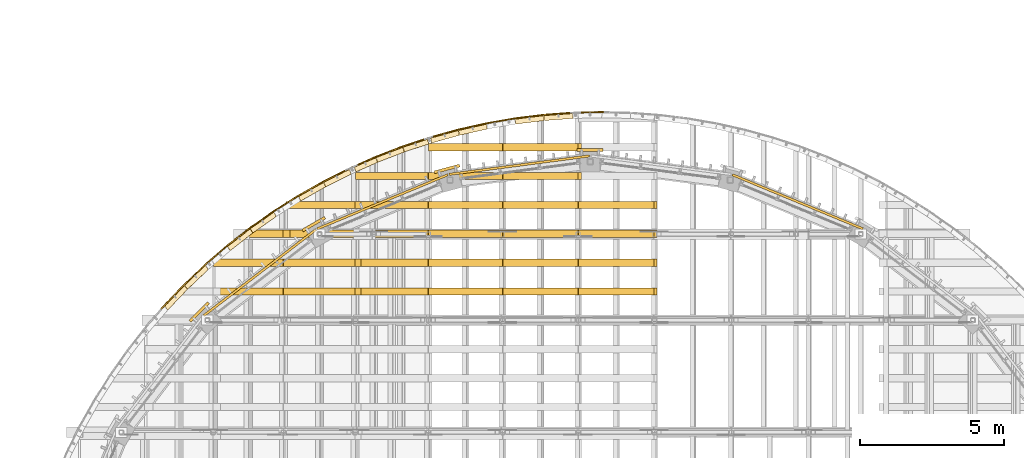
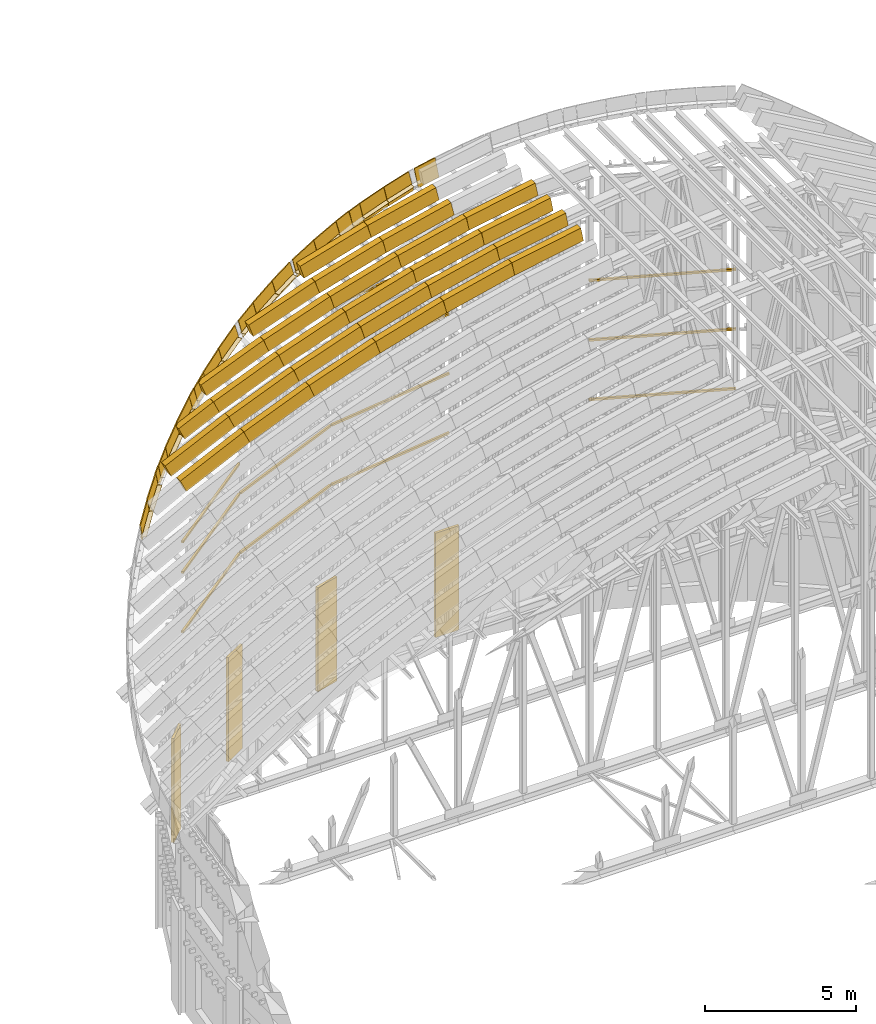
# One storey, part 94 of 105: 78 coverings.
"""IFC4 building model written with IfcOpenShell, lengths in metres."""

from ifc_helpers import new_model, si_unit, direction, frame, origin, origin_2d, place, context, subcontext, project, spatial, polyline, rectangle, outline, extrude, material, layer, layer_set, material_profile, profile_set, type_object, element, save


model = new_model("IFC4")

# Units and contexts
model_context = context("Model", 3, precision=1e-05, world=origin(), true_north=direction((0.0, 1.0)))
body_context = subcontext(model_context, "Body", "Model", "MODEL_VIEW")
ifc_project = project(units=[si_unit("LENGTHUNIT", "METRE"), si_unit("AREAUNIT", "SQUARE_METRE"), si_unit("VOLUMEUNIT", "CUBIC_METRE"), si_unit("PLANEANGLEUNIT", "RADIAN"), si_unit("MASSUNIT", "GRAM", prefix="KILO")], contexts=[model_context])

# Site, building, storey
site_placement = place(None, origin())
site = spatial("IfcSite", under=ifc_project, at=site_placement, CompositionType="ELEMENT")
building_placement = place(site_placement, origin())
building = spatial("IfcBuilding", under=site, at=building_placement, Name="Wasatch Bagh Community Centre", CompositionType="ELEMENT")
storey_placement = place(building_placement, frame((0.0, 0.0, 16.800048828125)))
storey = spatial("IfcBuildingStorey", under=building, at=storey_placement, Name="L04", CompositionType="ELEMENT", Elevation=16.800048828125)

# Coverings
ifc_material_1 = material(Name="White precast concrete C40/50", Category="concrete")
ifc_layer = layer(ifc_material_1, 0.10009765625)
ifc_layer_set = layer_set([ifc_layer], Name="White precast concrete C40/50")
covering_type_1 = type_object("IfcCoveringType", Name="MH column casing", PredefinedType="CLADDING", material=ifc_layer_set)
for number, where, z_axis, x_axis, name in (
    (1, (36.0, 84.14990234375, 0.0), (0.0, 0.0, 1.0), (-1.0, 0.0, 0.0), "Column casing N6 L04"),
    (2, (31.043701171875, 83.49755859375, 0.0), (0.0, 0.0, 1.0), (-0.965925826289, -0.258819045103, 0.0), "Column casing N7 L04"),
    (3, (26.425048828125, 81.58447265625, 0.0), (0.0, 0.0, 1.0), (-0.866025403784, -0.5, 0.0), "Column casing N8 L04"),
    (4, (22.458984375, 78.541015625, 0.0), (0.0, 0.0, 1.0), (-0.707106781187, -0.707106781187, 0.0), "Column casing N9 L04"),
):
    element("IfcCovering", number, at=place(storey_placement, frame(where, z_axis=z_axis, x_axis=x_axis)), inside=storey, type_object=covering_type_1, Name=name, PredefinedType="CLADDING", context=body_context, shape_type="SweptSolid", body=[
        extrude(rectangle(XDim=0.89990234375, YDim=0.10009765625, at=origin_2d()), origin(), (0.0, 0.0, 1.0), 4.199951171875),
    ])
ifc_material_2 = material(Name="ASTM A653 Grade 50 steel, zinc-aluminium coated", Category="steel")
ifc_material_profile_1 = material_profile(ifc_material_2, outline(polyline([(-0.080078125, 0.0029296875), (0.152099609375, 0.0029296875), (0.152099609375, -0.031982421875), (0.14892578125, -0.031982421875), (0.14892578125, 0.0), (-0.080078125, 0.0), (-0.080078125, 0.0029296875)])), Name="DRIP EDGE")
ifc_profile_set_1 = profile_set([ifc_material_profile_1], Name="ASTM A653 Grade 50 steel, zinc-aluminium coated")
covering_type_2 = type_object("IfcCoveringType", Name="MH drip edge", PredefinedType="CLADDING", material=ifc_profile_set_1)
covering_1_placement = place(storey_placement, frame((21.32421875, 78.6689453125, 12.32958984375), z_axis=(0.647020682228, 0.679602795155, 0.345693907362), x_axis=(-0.599453853846, 0.733580286429, -0.32017970028)))
element("IfcCovering", 5, at=covering_1_placement, inside=storey, type_object=covering_type_2, Name="Drip edge 101", PredefinedType="CLADDING", context=body_context, shape_type="SweptSolid", body=[
    extrude(outline(polyline([(-0.080078125, 0.0029296875), (0.152099609375, 0.0029296875), (0.152099609375, -0.031982421875), (0.14892578125, -0.031982421875), (0.14892578125, 0.0), (-0.080078125, 0.0), (-0.080078125, 0.0029296875)])), origin(), (0.0, 0.0, 1.0), 1.056640625),
])
covering_2_placement = place(storey_placement, frame((22.01318359375, 79.39208984375, 12.69775390625), z_axis=(0.675398221012, 0.643236400964, 0.360671839112), x_axis=(-0.567401447091, 0.765667638388, -0.302999447795)))
element("IfcCovering", 6, at=covering_2_placement, inside=storey, type_object=covering_type_2, Name="Drip edge 102", PredefinedType="CLADDING", context=body_context, shape_type="SweptSolid", body=[
    extrude(outline(polyline([(-0.080078125, 0.0029296875), (0.152099609375, 0.0029296875), (0.152099609375, -0.031982421875), (0.14892578125, -0.031982421875), (0.14892578125, 0.0), (-0.080078125, 0.0), (-0.080078125, 0.0029296875)])), origin(), (0.0, 0.0, 1.0), 1.062744140625),
])
covering_3_placement = place(storey_placement, frame((23.4931640625, 80.733154296875, 13.439453125), z_axis=(0.739329705294, 0.576958951523, 0.347145438006), x_axis=(-0.522263505148, 0.816773143481, -0.245198823975)))
element("IfcCovering", 7, at=covering_3_placement, inside=storey, type_object=covering_type_2, Name="Drip edge 105", PredefinedType="CLADDING", context=body_context, shape_type="SweptSolid", body=[
    extrude(outline(polyline([(-0.080078125, 0.0029296875), (0.152099609375, 0.0029296875), (0.152099609375, -0.031982421875), (0.14892578125, -0.031982421875), (0.14892578125, 0.0), (-0.080078125, 0.0), (-0.080078125, 0.0029296875)])), origin(), (0.0, 0.0, 1.0), 1.05712890625),
])
covering_4_placement = place(storey_placement, frame((24.280517578125, 81.347412109375, 13.809326171875), z_axis=(0.763349348371, 0.537563486895, 0.358222374928), x_axis=(-0.486598613693, 0.843223273981, -0.228465094421)))
element("IfcCovering", 8, at=covering_4_placement, inside=storey, type_object=covering_type_2, Name="Drip edge 106", PredefinedType="CLADDING", context=body_context, shape_type="SweptSolid", body=[
    extrude(outline(polyline([(-0.080078125, 0.0029296875), (0.152099609375, 0.0029296875), (0.152099609375, -0.031982421875), (0.14892578125, -0.031982421875), (0.14892578125, 0.0), (-0.080078125, 0.0), (-0.080078125, 0.0029296875)])), origin(), (0.0, 0.0, 1.0), 1.061767578125),
])
covering_5_placement = place(storey_placement, frame((25.94140625, 82.45654296875, 14.54296875), z_axis=(0.819855762659, 0.464708730703, 0.334488152319), x_axis=(-0.430320557646, 0.885463598865, -0.17543783159)))
element("IfcCovering", 9, at=covering_5_placement, inside=storey, type_object=covering_type_2, Name="Drip edge 109", PredefinedType="CLADDING", context=body_context, shape_type="SweptSolid", body=[
    extrude(outline(polyline([(-0.080078125, 0.0029296875), (0.152099609375, 0.0029296875), (0.152099609375, -0.031982421875), (0.14892578125, -0.031982421875), (0.14892578125, 0.0), (-0.080078125, 0.0), (-0.080078125, 0.0029296875)])), origin(), (0.0, 0.0, 1.0), 1.0517578125),
])
covering_6_placement = place(storey_placement, frame((26.810546875, 82.94873046875, 14.8974609375), z_axis=(0.839190144001, 0.422603751502, 0.342295152504), x_axis=(-0.391326554379, 0.906314551576, -0.159553945233)))
element("IfcCovering", 10, at=covering_6_placement, inside=storey, type_object=covering_type_2, Name="Drip edge 110", PredefinedType="CLADDING", context=body_context, shape_type="SweptSolid", body=[
    extrude(outline(polyline([(-0.080078125, 0.0029296875), (0.152099609375, 0.0029296875), (0.152099609375, -0.031982421875), (0.14892578125, -0.031982421875), (0.14892578125, 0.0), (-0.080078125, 0.0), (-0.080078125, 0.0029296875)])), origin(), (0.0, 0.0, 1.0), 1.054931640625),
])
covering_7_placement = place(storey_placement, frame((27.863525390625, 83.468994140625, 15.3173828125), z_axis=(0.871019461366, 0.38601026244, 0.303843998151), x_axis=(-0.364460424626, 0.922494485848, -0.127171232836)))
element("IfcCovering", 11, at=covering_7_placement, inside=storey, type_object=covering_type_2, Name="Drip edge 112", PredefinedType="CLADDING", context=body_context, shape_type="SweptSolid", body=[
    extrude(outline(polyline([(-0.080078125, 0.0029296875), (0.152099609375, 0.0029296875), (0.152099609375, -0.031982421875), (0.14892578125, -0.031982421875), (0.14892578125, 0.0), (-0.080078125, 0.0), (-0.080078125, 0.0029296875)])), origin(), (0.0, 0.0, 1.0), 0.855712890625),
])
covering_8_placement = place(storey_placement, frame((28.615966796875, 83.80224609375, 15.579833984375), z_axis=(0.88722635202, 0.342195802614, 0.30940496595), x_axis=(-0.323094816078, 0.939628666186, -0.112728476906)))
element("IfcCovering", 12, at=covering_8_placement, inside=storey, type_object=covering_type_2, Name="Drip edge 113", PredefinedType="CLADDING", context=body_context, shape_type="SweptSolid", body=[
    extrude(outline(polyline([(-0.080078125, 0.0029296875), (0.152099609375, 0.0029296875), (0.152099609375, -0.031982421875), (0.14892578125, -0.031982421875), (0.14892578125, 0.0), (-0.080078125, 0.0), (-0.080078125, 0.0029296875)])), origin(), (0.0, 0.0, 1.0), 1.042236328125),
])
covering_9_placement = place(storey_placement, frame((29.5478515625, 84.16162109375, 15.905029296875), z_axis=(0.901412118172, 0.297687764641, 0.31438541314), x_axis=(-0.281064884476, 0.954663287295, -0.098084344349)))
element("IfcCovering", 13, at=covering_9_placement, inside=storey, type_object=covering_type_2, Name="Drip edge 114", PredefinedType="CLADDING", context=body_context, shape_type="SweptSolid", body=[
    extrude(outline(polyline([(-0.080078125, 0.0029296875), (0.152099609375, 0.0029296875), (0.152099609375, -0.031982421875), (0.14892578125, -0.031982421875), (0.14892578125, 0.0), (-0.080078125, 0.0), (-0.080078125, 0.0029296875)])), origin(), (0.0, 0.0, 1.0), 0.935791015625),
])
covering_10_placement = place(storey_placement, frame((30.496337890625, 84.474853515625, 16.22216796875), z_axis=(0.927763387179, 0.256539735479, 0.271002696536), x_axis=(-0.246246402755, 0.966533684889, -0.071939871452)))
element("IfcCovering", 14, at=covering_10_placement, inside=storey, type_object=covering_type_2, Name="Drip edge 116", PredefinedType="CLADDING", context=body_context, shape_type="SweptSolid", body=[
    extrude(outline(polyline([(-0.080078125, 0.0029296875), (0.152099609375, 0.0029296875), (0.152099609375, -0.031982421875), (0.14892578125, -0.031982421875), (0.14892578125, 0.0), (-0.080078125, 0.0), (-0.080078125, 0.0029296875)])), origin(), (0.0, 0.0, 1.0), 1.02978515625),
])
covering_11_placement = place(storey_placement, frame((31.459228515625, 84.740966796875, 16.503173828125), z_axis=(0.938312933245, 0.210830222315, 0.274079289009), x_axis=(-0.202393598222, 0.977522691535, -0.059044211675)))
element("IfcCovering", 15, at=covering_11_placement, inside=storey, type_object=covering_type_2, Name="Drip edge 117", PredefinedType="CLADDING", context=body_context, shape_type="SweptSolid", body=[
    extrude(outline(polyline([(-0.080078125, 0.0029296875), (0.152099609375, 0.0029296875), (0.152099609375, -0.031982421875), (0.14892578125, -0.031982421875), (0.14892578125, 0.0), (-0.080078125, 0.0), (-0.080078125, 0.0029296875)])), origin(), (0.0, 0.0, 1.0), 1.030517578125),
])
covering_12_placement = place(storey_placement, frame((33.41796875, 85.130126953125, 17.044189453125), z_axis=(0.96619447747, 0.119215157722, 0.228595664605), x_axis=(-0.116013340976, 0.992868443527, -0.027443734504)))
element("IfcCovering", 16, at=covering_12_placement, inside=storey, type_object=covering_type_2, Name="Drip edge 120", PredefinedType="CLADDING", context=body_context, shape_type="SweptSolid", body=[
    extrude(outline(polyline([(-0.080078125, 0.0029296875), (0.152099609375, 0.0029296875), (0.152099609375, -0.031982421875), (0.14892578125, -0.031982421875), (0.14892578125, 0.0), (-0.080078125, 0.0), (-0.080078125, 0.0029296875)])), origin(), (0.0, 0.0, 1.0), 1.017822265625),
])
covering_13_placement = place(storey_placement, frame((34.4091796875, 85.252197265625, 17.27880859375), z_axis=(0.9706297765, 0.0716765382, 0.229652587278), x_axis=(-0.069754248482, 0.997427929049, -0.016488516371)))
element("IfcCovering", 17, at=covering_13_placement, inside=storey, type_object=covering_type_2, Name="Drip edge 121", PredefinedType="CLADDING", context=body_context, shape_type="SweptSolid", body=[
    extrude(outline(polyline([(-0.080078125, 0.0029296875), (0.152099609375, 0.0029296875), (0.152099609375, -0.031982421875), (0.14892578125, -0.031982421875), (0.14892578125, 0.0), (-0.080078125, 0.0), (-0.080078125, 0.0029296875)])), origin(), (0.0, 0.0, 1.0), 1.0185546875),
])
ifc_material_profile_2 = material_profile(ifc_material_2, rectangle(XDim=0.0400390625, YDim=0.85009765625, at=origin_2d()), Name="FASCIA 40x850")
ifc_profile_set_2 = profile_set([ifc_material_profile_2], Name="ASTM A653 Grade 50 steel, zinc-aluminium coated")
covering_type_3 = type_object("IfcCoveringType", Name="MH eave fascia 40x850", PredefinedType="CLADDING", material=ifc_profile_set_2)
covering_14_placement = place(storey_placement, frame((21.2373046875, 78.751708984375, 12.48095703125), z_axis=(0.647072356798, 0.679657071908, 0.345490419076), x_axis=(-0.72425504853, 0.689532178131, 0.0)))
element("IfcCovering", 18, at=covering_14_placement, inside=storey, type_object=covering_type_3, Name="Eave fascia 101", PredefinedType="CLADDING", context=body_context, shape_type="SweptSolid", body=[
    extrude(rectangle(XDim=0.0400390625, YDim=0.85009765625, at=origin_2d()), origin(), (0.0, 0.0, 1.0), 1.056396484375),
])
covering_15_placement = place(storey_placement, frame((21.930419921875, 79.47900390625, 12.851318359375), z_axis=(0.675467161442, 0.643083322692, 0.360815678553), x_axis=(-0.689532178131, 0.72425504853, 0.0)))
element("IfcCovering", 19, at=covering_15_placement, inside=storey, type_object=covering_type_3, Name="Eave fascia 102", PredefinedType="CLADDING", context=body_context, shape_type="SweptSolid", body=[
    extrude(rectangle(XDim=0.0400390625, YDim=0.85009765625, at=origin_2d()), origin(), (0.0, 0.0, 1.0), 1.06298828125),
])
covering_16_placement = place(storey_placement, frame((22.658203125, 80.171630859375, 13.239990234375), z_axis=(0.701915068317, 0.605359765857, 0.375306262605), x_axis=(-0.653100876509, 0.757270919225, 0.0)))
element("IfcCovering", 20, at=covering_16_placement, inside=storey, type_object=covering_type_3, Name="Eave fascia 103", PredefinedType="CLADDING", context=body_context, shape_type="SweptSolid", body=[
    extrude(rectangle(XDim=0.0400390625, YDim=0.85009765625, at=origin_2d()), origin(), (0.0, 0.0, 1.0), 0.290771484375),
])
covering_17_placement = place(storey_placement, frame((22.867919921875, 80.3525390625, 13.33251953125), z_axis=(0.71357096409, 0.61535835396, 0.334888900114), x_axis=(-0.653068057142, 0.757299222725, 0.0)))
element("IfcCovering", 21, at=covering_17_placement, inside=storey, type_object=covering_type_3, Name="Eave fascia 104", PredefinedType="CLADDING", context=body_context, shape_type="SweptSolid", body=[
    extrude(rectangle(XDim=0.0400390625, YDim=0.85009765625, at=origin_2d()), origin(), (0.0, 0.0, 1.0), 0.75830078125),
])
covering_18_placement = place(storey_placement, frame((23.419189453125, 80.82763671875, 13.591064453125), z_axis=(0.739329705294, 0.576958951523, 0.347145438006), x_axis=(-0.615218592579, 0.788356571195, 0.0)))
element("IfcCovering", 22, at=covering_18_placement, inside=storey, type_object=covering_type_3, Name="Eave fascia 105", PredefinedType="CLADDING", context=body_context, shape_type="SweptSolid", body=[
    extrude(rectangle(XDim=0.0400390625, YDim=0.85009765625, at=origin_2d()), origin(), (0.0, 0.0, 1.0), 1.05712890625),
])
covering_19_placement = place(storey_placement, frame((24.21142578125, 81.445556640625, 13.96240234375), z_axis=(0.763286463382, 0.537519202225, 0.358422770004), x_axis=(-0.575773981963, 0.817608905097, 0.0)))
element("IfcCovering", 23, at=covering_19_placement, inside=storey, type_object=covering_type_3, Name="Eave fascia 106", PredefinedType="CLADDING", context=body_context, shape_type="SweptSolid", body=[
    extrude(rectangle(XDim=0.0400390625, YDim=0.85009765625, at=origin_2d()), origin(), (0.0, 0.0, 1.0), 1.06201171875),
])
covering_20_placement = place(storey_placement, frame((25.033203125, 82.023681640625, 14.34765625), z_axis=(0.784816502415, 0.497962213329, 0.368912851001), x_axis=(-0.535752023515, 0.844375372272, 0.0)))
element("IfcCovering", 24, at=covering_20_placement, inside=storey, type_object=covering_type_3, Name="Eave fascia 107", PredefinedType="CLADDING", context=body_context, shape_type="SweptSolid", body=[
    extrude(rectangle(XDim=0.0400390625, YDim=0.85009765625, at=origin_2d()), origin(), (0.0, 0.0, 1.0), 0.34814453125),
])
covering_21_placement = place(storey_placement, frame((25.312744140625, 82.200927734375, 14.4609375), z_axis=(0.798752937949, 0.505818600093, 0.325793320861), x_axis=(-0.535008099166, 0.844846929229, 0.0)))
element("IfcCovering", 25, at=covering_21_placement, inside=storey, type_object=covering_type_3, Name="Eave fascia 108", PredefinedType="CLADDING", context=body_context, shape_type="SweptSolid", body=[
    extrude(rectangle(XDim=0.0400390625, YDim=0.85009765625, at=origin_2d()), origin(), (0.0, 0.0, 1.0), 0.698486328125),
])
covering_22_placement = place(storey_placement, frame((25.882080078125, 82.56103515625, 14.6923828125), z_axis=(0.820020243069, 0.464438297872, 0.334460563335), x_axis=(-0.492819921763, 0.870131326131, 0.0)))
element("IfcCovering", 26, at=covering_22_placement, inside=storey, type_object=covering_type_3, Name="Eave fascia 109", PredefinedType="CLADDING", context=body_context, shape_type="SweptSolid", body=[
    extrude(rectangle(XDim=0.0400390625, YDim=0.85009765625, at=origin_2d()), origin(), (0.0, 0.0, 1.0), 1.0517578125),
])
covering_23_placement = place(storey_placement, frame((26.756591796875, 83.055908203125, 15.048095703125), z_axis=(0.839190144001, 0.422603751502, 0.342295152504), x_axis=(-0.449773450164, 0.893142678147, 0.0)))
element("IfcCovering", 27, at=covering_23_placement, inside=storey, type_object=covering_type_3, Name="Eave fascia 110", PredefinedType="CLADDING", context=body_context, shape_type="SweptSolid", body=[
    extrude(rectangle(XDim=0.0400390625, YDim=0.85009765625, at=origin_2d()), origin(), (0.0, 0.0, 1.0), 1.054931640625),
])
covering_24_placement = place(storey_placement, frame((27.814697265625, 83.57861328125, 15.46240234375), z_axis=(0.870992382029, 0.386157067868, 0.30373506446), x_axis=(-0.405305085414, 0.914181485121, 0.0)))
element("IfcCovering", 28, at=covering_24_placement, inside=storey, type_object=covering_type_3, Name="Eave fascia 112", PredefinedType="CLADDING", context=body_context, shape_type="SweptSolid", body=[
    extrude(rectangle(XDim=0.0400390625, YDim=0.85009765625, at=origin_2d()), origin(), (0.0, 0.0, 1.0), 0.85595703125),
])
covering_25_placement = place(storey_placement, frame((28.57275390625, 83.914306640625, 15.7255859375), z_axis=(0.887162038349, 0.342170997367, 0.309616740944), x_axis=(-0.359853690345, 0.933008746768, 0.0)))
element("IfcCovering", 29, at=covering_25_placement, inside=storey, type_object=covering_type_3, Name="Eave fascia 113", PredefinedType="CLADDING", context=body_context, shape_type="SweptSolid", body=[
    extrude(rectangle(XDim=0.0400390625, YDim=0.85009765625, at=origin_2d()), origin(), (0.0, 0.0, 1.0), 1.04248046875),
])
covering_26_placement = place(storey_placement, frame((29.51025390625, 84.275634765625, 16.051513671875), z_axis=(0.901412118172, 0.297687764641, 0.31438541314), x_axis=(-0.313588115424, 0.949559104988, 0.0)))
element("IfcCovering", 30, at=covering_26_placement, inside=storey, type_object=covering_type_3, Name="Eave fascia 114", PredefinedType="CLADDING", context=body_context, shape_type="SweptSolid", body=[
    extrude(rectangle(XDim=0.0400390625, YDim=0.85009765625, at=origin_2d()), origin(), (0.0, 0.0, 1.0), 0.935791015625),
])
covering_27_placement = place(storey_placement, frame((30.46435546875, 84.59033203125, 16.363037109375), z_axis=(0.927706935059, 0.256761208962, 0.270986206689), x_axis=(-0.266741826376, 0.963768020875, 0.0)))
element("IfcCovering", 31, at=covering_27_placement, inside=storey, type_object=covering_type_3, Name="Eave fascia 116", PredefinedType="CLADDING", context=body_context, shape_type="SweptSolid", body=[
    extrude(rectangle(XDim=0.0400390625, YDim=0.85009765625, at=origin_2d()), origin(), (0.0, 0.0, 1.0), 1.02978515625),
])
covering_28_placement = place(storey_placement, frame((31.432861328125, 84.858154296875, 16.64453125), z_axis=(0.938420682395, 0.210617517458, 0.273873847223), x_axis=(-0.218990481847, 0.975726995045, 0.0)))
element("IfcCovering", 32, at=covering_28_placement, inside=storey, type_object=covering_type_3, Name="Eave fascia 117", PredefinedType="CLADDING", context=body_context, shape_type="SweptSolid", body=[
    extrude(rectangle(XDim=0.0400390625, YDim=0.85009765625, at=origin_2d()), origin(), (0.0, 0.0, 1.0), 1.030517578125),
])
covering_29_placement = place(storey_placement, frame((32.4130859375, 85.077880859375, 16.929443359375), z_axis=(0.947013161457, 0.164171989669, 0.276068161574), x_axis=(-0.170809997565, 0.985303985952, 0.0)))
element("IfcCovering", 33, at=covering_29_placement, inside=storey, type_object=covering_type_3, Name="Eave fascia 118", PredefinedType="CLADDING", context=body_context, shape_type="SweptSolid", body=[
    extrude(rectangle(XDim=0.0400390625, YDim=0.85009765625, at=origin_2d()), origin(), (0.0, 0.0, 1.0), 0.565185546875),
])
covering_30_placement = place(storey_placement, frame((32.955810546875, 85.172119140625, 17.07568359375), z_axis=(0.959513031014, 0.166308392545, 0.227324133966), x_axis=(-0.170779546119, 0.985309264458, 0.0)))
element("IfcCovering", 34, at=covering_30_placement, inside=storey, type_object=covering_type_3, Name="Eave fascia 119", PredefinedType="CLADDING", context=body_context, shape_type="SweptSolid", body=[
    extrude(rectangle(XDim=0.0400390625, YDim=0.85009765625, at=origin_2d()), origin(), (0.0, 0.0, 1.0), 0.4521484375),
])
covering_31_placement = place(storey_placement, frame((33.4033203125, 85.249267578125, 17.180419921875), z_axis=(0.96619447747, 0.119215157722, 0.228595664605), x_axis=(-0.122457658417, 0.992473738642, 0.0)))
element("IfcCovering", 35, at=covering_31_placement, inside=storey, type_object=covering_type_3, Name="Eave fascia 120", PredefinedType="CLADDING", context=body_context, shape_type="SweptSolid", body=[
    extrude(rectangle(XDim=0.0400390625, YDim=0.85009765625, at=origin_2d()), origin(), (0.0, 0.0, 1.0), 1.017822265625),
])
covering_32_placement = place(storey_placement, frame((34.400390625, 85.3720703125, 17.4150390625), z_axis=(0.970632554895, 0.071454669308, 0.229709977171), x_axis=(-0.073417928892, 0.997301262266, 0.0)))
element("IfcCovering", 36, at=covering_32_placement, inside=storey, type_object=covering_type_3, Name="Eave fascia 121", PredefinedType="CLADDING", context=body_context, shape_type="SweptSolid", body=[
    extrude(rectangle(XDim=0.0400390625, YDim=0.85009765625, at=origin_2d()), origin(), (0.0, 0.0, 1.0), 1.01806640625),
])
covering_33_placement = place(storey_placement, frame((35.586181640625, 85.449951171875, 17.6845703125), z_axis=(0.983414730485, 0.024399397247, 0.179722389474), x_axis=(-0.024803259561, 0.999692351834, 0.0)))
element("IfcCovering", 37, at=covering_33_placement, inside=storey, type_object=covering_type_3, Name="Eave fascia 123", PredefinedType="CLADDING", context=body_context, shape_type="SweptSolid", body=[
    extrude(rectangle(XDim=0.0400390625, YDim=0.85009765625, at=origin_2d()), origin(), (0.0, 0.0, 1.0), 0.820556640625),
])
ifc_material_3 = material(Name="Aluminium extrusion", Category="aluminium")
ifc_material_profile_3 = material_profile(ifc_material_3, rectangle(XDim=0.080078125, YDim=0.080078125, at=origin_2d()), Name="AL 80x80")
ifc_profile_set_3 = profile_set([ifc_material_profile_3], Name="Aluminium extrusion")
covering_type_4 = type_object("IfcCoveringType", Name="MH fin rail 80x80", PredefinedType="CLADDING", material=ifc_profile_set_3)
for number, where, z_axis, x_axis, name in (
    (38, (45.451416015625, 81.4228515625, 8.199951171875), (-0.923880654153, 0.382680724471, 0.0), (-0.382680724471, -0.923880654153, 0.0), "Fin rail 23.1"),
    (39, (45.451416015625, 81.4228515625, 10.599853515625), (-0.923880654153, 0.382680724471, 0.0), (-0.382680724471, -0.923880654153, 0.0), "Fin rail 23.2"),
    (40, (45.451416015625, 81.4228515625, 13.0), (-0.923880654153, 0.382680724471, 0.0), (-0.382680724471, -0.923880654153, 0.0), "Fin rail 23.3"),
):
    element("IfcCovering", number, at=place(storey_placement, frame(where, z_axis=z_axis, x_axis=x_axis)), inside=storey, type_object=covering_type_4, Name=name, PredefinedType="CLADDING", context=body_context, shape_type="SweptSolid", body=[
        extrude(rectangle(XDim=0.080078125, YDim=0.080078125, at=origin_2d()), origin(), (0.0, 0.0, 1.0), 4.89453125),
    ])
for number, where, z_axis, x_axis, name in (
    (41, (35.973876953125, 83.9482421875, 8.199951171875), (-0.991443936339, -0.130533218363, 0.0), (0.130533218363, -0.991443936339, 0.0), "Fin rail 25.1"),
    (42, (35.973876953125, 83.9482421875, 10.599853515625), (-0.991443936339, -0.130533218363, 0.0), (0.130533218363, -0.991443936339, 0.0), "Fin rail 25.2"),
    (43, (35.973876953125, 83.9482421875, 13.0), (-0.991443936339, -0.130533218363, 0.0), (0.130533218363, -0.991443936339, 0.0), "Fin rail 25.3"),
    (44, (35.973876953125, 83.9482421875, 15.39990234375), (-0.991443936339, -0.130533218363, 0.0), (0.130533218363, -0.991443936339, 0.0), "Fin rail 25.4"),
):
    element("IfcCovering", number, at=place(storey_placement, frame(where, z_axis=z_axis, x_axis=x_axis)), inside=storey, type_object=covering_type_4, Name=name, PredefinedType="CLADDING", context=body_context, shape_type="SweptSolid", body=[
        extrude(rectangle(XDim=0.080078125, YDim=0.080078125, at=origin_2d()), origin(), (0.0, 0.0, 1.0), 4.894775390625),
    ])
for number, where, z_axis, x_axis, name in (
    (45, (31.070556640625, 83.2958984375, 8.199951171875), (-0.923880654153, -0.382680724471, 0.0), (0.382680724471, -0.923880654153, 0.0), "Fin rail 26.1"),
    (46, (31.070556640625, 83.2958984375, 10.599853515625), (-0.923880654153, -0.382680724471, 0.0), (0.382680724471, -0.923880654153, 0.0), "Fin rail 26.2"),
    (47, (31.070556640625, 83.2958984375, 13.0), (-0.923880654153, -0.382680724471, 0.0), (0.382680724471, -0.923880654153, 0.0), "Fin rail 26.3"),
    (48, (26.503173828125, 81.396728515625, 8.199951171875), (-0.793337338041, -0.60878228298, 0.0), (0.60878228298, -0.793337338041, 0.0), "Fin rail 27.1"),
    (49, (26.503173828125, 81.396728515625, 10.599853515625), (-0.793337338041, -0.60878228298, 0.0), (0.60878228298, -0.793337338041, 0.0), "Fin rail 27.2"),
    (50, (26.503173828125, 81.396728515625, 11.829833984375), (-0.793337338041, -0.60878228298, 0.0), (0.60878228298, -0.793337338041, 0.0), "Fin rail 27.3"),
):
    element("IfcCovering", number, at=place(storey_placement, frame(where, z_axis=z_axis, x_axis=x_axis)), inside=storey, type_object=covering_type_4, Name=name, PredefinedType="CLADDING", context=body_context, shape_type="SweptSolid", body=[
        extrude(rectangle(XDim=0.080078125, YDim=0.080078125, at=origin_2d()), origin(), (0.0, 0.0, 1.0), 4.89453125),
    ])
covering_type_5 = type_object("IfcCoveringType", Name="MH roll-over fin rib", PredefinedType="ROOFING", material=ifc_material_2)
for number, where, z_axis, x_axis, name in (
    (51, (22.951171875, 79.125, 13.735107421875), (-0.425003555099, 0.0, 0.905191680338), (0.905191680338, 0.0, 0.425003555099), "Seam rib 4.62"),
    (52, (22.951171875, 80.125, 13.735107421875), (-0.425003555099, 0.0, 0.905191680338), (0.905191680338, 0.0, 0.425003555099), "Seam rib 4.63"),
):
    element("IfcCovering", number, at=place(storey_placement, frame(where, z_axis=z_axis, x_axis=x_axis)), inside=storey, type_object=covering_type_5, Name=name, PredefinedType="ROOFING", context=body_context, shape_type="SweptSolid", body=[
        extrude(outline(polyline([(0.0, 0.0), (2.667716655298669, 0.0), (2.667716655298669, 0.25), (0.0, 0.25), (0.0, 0.0)])), origin(), (0.0, 0.0, -1.0), 0.550048828125),
    ])
covering_34_placement = place(storey_placement, frame((24.0439453125, 81.125, 14.248291015625), z_axis=(-0.424943480229, 0.0, 0.905219884123), x_axis=(0.905219884123, 0.0, 0.424943480229)))
element("IfcCovering", 53, at=covering_34_placement, inside=storey, type_object=covering_type_5, Name="Seam rib 4.64", PredefinedType="ROOFING", context=body_context, shape_type="SweptSolid", body=[
    extrude(outline(polyline([(0.0, 0.0), (1.4604423826332504, 0.0), (1.4604423826332504, 0.25), (0.0, 0.25), (0.0, 0.0)])), origin(), (0.0, 0.0, -1.0), 0.550048828125),
])
for number, where, z_axis, x_axis, name in (
    (54, (25.381591796875, 79.125, 14.864501953125), (-0.377724112036, 0.0, 0.925918190332), (0.925918190332, 0.0, 0.377724112036), "Seam rib 5.63"),
    (55, (25.381591796875, 80.125, 14.864501953125), (-0.377724112036, 0.0, 0.925918190332), (0.925918190332, 0.0, 0.377724112036), "Seam rib 5.64"),
    (56, (25.381591796875, 81.125, 14.864501953125), (-0.377724112036, 0.0, 0.925918190332), (0.925918190332, 0.0, 0.377724112036), "Seam rib 5.65"),
):
    element("IfcCovering", number, at=place(storey_placement, frame(where, z_axis=z_axis, x_axis=x_axis)), inside=storey, type_object=covering_type_5, Name=name, PredefinedType="ROOFING", context=body_context, shape_type="SweptSolid", body=[
        extrude(outline(polyline([(0.0, 0.0), (2.6681179937617836, 0.0), (2.6681179937617836, 0.25), (0.0, 0.25), (0.0, 0.0)])), origin(), (0.0, 0.0, -1.0), 0.550048828125),
    ])
covering_35_placement = place(storey_placement, frame((25.473388671875, 82.125, 14.902099609375), z_axis=(-0.377674205957, 0.0, 0.92593854772), x_axis=(0.92593854772, 0.0, 0.377674205957)))
element("IfcCovering", 57, at=covering_35_placement, inside=storey, type_object=covering_type_5, Name="Seam rib 5.66", PredefinedType="ROOFING", context=body_context, shape_type="SweptSolid", body=[
    extrude(outline(polyline([(0.0, 0.0), (2.568920059793446, 0.0), (2.568920059793446, 0.25), (0.0, 0.25), (0.0, 0.0)])), origin(), (0.0, 0.0, -1.0), 0.550048828125),
])
for number, where, z_axis, x_axis, name in (
    (58, (27.867919921875, 79.125, 15.868896484375), (-0.329400612104, 0.0, 0.944190254528), (0.944190254528, 0.0, 0.329400612104), "Seam rib 6.64"),
    (59, (27.867919921875, 80.125, 15.868896484375), (-0.329400612104, 0.0, 0.944190254528), (0.944190254528, 0.0, 0.329400612104), "Seam rib 6.65"),
    (60, (27.867919921875, 81.125, 15.868896484375), (-0.329400612104, 0.0, 0.944190254528), (0.944190254528, 0.0, 0.329400612104), "Seam rib 6.66"),
    (61, (27.867919921875, 82.125, 15.868896484375), (-0.329400612104, 0.0, 0.944190254528), (0.944190254528, 0.0, 0.329400612104), "Seam rib 6.67"),
    (62, (27.867919921875, 83.125, 15.868896484375), (-0.329400612104, 0.0, 0.944190254528), (0.944190254528, 0.0, 0.329400612104), "Seam rib 6.68"),
):
    element("IfcCovering", number, at=place(storey_placement, frame(where, z_axis=z_axis, x_axis=x_axis)), inside=storey, type_object=covering_type_5, Name=name, PredefinedType="ROOFING", context=body_context, shape_type="SweptSolid", body=[
        extrude(outline(polyline([(0.0, 0.0), (2.668198593761736, 0.0), (2.668198593761736, 0.25), (0.0, 0.25), (0.0, 0.0)])), origin(), (0.0, 0.0, -1.0), 0.550048828125),
    ])
for number, where, z_axis, x_axis, name in (
    (63, (30.403076171875, 79.125, 16.744873046875), (-0.280263508519, 0.0, 0.959923104104), (0.959923104104, 0.0, 0.280263508519), "Seam rib 7.65"),
    (64, (30.403076171875, 80.125, 16.744873046875), (-0.280263508519, 0.0, 0.959923104104), (0.959923104104, 0.0, 0.280263508519), "Seam rib 7.66"),
    (65, (30.403076171875, 81.125, 16.744873046875), (-0.280263508519, 0.0, 0.959923104104), (0.959923104104, 0.0, 0.280263508519), "Seam rib 7.67"),
    (66, (30.403076171875, 82.125, 16.744873046875), (-0.280263508519, 0.0, 0.959923104104), (0.959923104104, 0.0, 0.280263508519), "Seam rib 7.68"),
    (67, (30.403076171875, 83.125, 16.744873046875), (-0.280263508519, 0.0, 0.959923104104), (0.959923104104, 0.0, 0.280263508519), "Seam rib 7.69"),
    (68, (30.403076171875, 84.125, 16.744873046875), (-0.280263508519, 0.0, 0.959923104104), (0.959923104104, 0.0, 0.280263508519), "Seam rib 7.70"),
):
    element("IfcCovering", number, at=place(storey_placement, frame(where, z_axis=z_axis, x_axis=x_axis)), inside=storey, type_object=covering_type_5, Name=name, PredefinedType="ROOFING", context=body_context, shape_type="SweptSolid", body=[
        extrude(outline(polyline([(0.0, 0.0), (2.6682129911495487, 0.0), (2.6682129911495487, 0.25), (0.0, 0.25), (0.0, 0.0)])), origin(), (0.0, 0.0, -1.0), 0.550048828125),
    ])
for number, where, z_axis, x_axis, name in (
    (69, (32.98046875, 79.125, 17.490478515625), (-0.2303751915, 0.0, 0.973101881172), (0.973101881172, 0.0, 0.2303751915), "Seam rib 8.65"),
    (70, (32.98046875, 80.125, 17.490478515625), (-0.2303751915, 0.0, 0.973101881172), (0.973101881172, 0.0, 0.2303751915), "Seam rib 8.66"),
    (71, (32.98046875, 81.125, 17.490478515625), (-0.2303751915, 0.0, 0.973101881172), (0.973101881172, 0.0, 0.2303751915), "Seam rib 8.67"),
    (72, (32.98046875, 82.125, 17.490478515625), (-0.2303751915, 0.0, 0.973101881172), (0.973101881172, 0.0, 0.2303751915), "Seam rib 8.68"),
    (73, (32.98046875, 83.125, 17.490478515625), (-0.2303751915, 0.0, 0.973101881172), (0.973101881172, 0.0, 0.2303751915), "Seam rib 8.69"),
    (74, (32.98046875, 84.125, 17.490478515625), (-0.2303751915, 0.0, 0.973101881172), (0.973101881172, 0.0, 0.2303751915), "Seam rib 8.70"),
):
    element("IfcCovering", number, at=place(storey_placement, frame(where, z_axis=z_axis, x_axis=x_axis)), inside=storey, type_object=covering_type_5, Name=name, PredefinedType="ROOFING", context=body_context, shape_type="SweptSolid", body=[
        extrude(outline(polyline([(0.0, 0.0), (2.6684561377800424, 0.0), (2.6684561377800424, 0.25), (0.0, 0.25), (0.0, 0.0)])), origin(), (0.0, 0.0, -1.0), 0.550048828125),
    ])
for number, where, z_axis, x_axis, name in (
    (75, (35.59326171875, 79.125, 18.103515625), (-0.179779044662, 0.0, 0.983707016901), (0.983707016901, 0.0, 0.179779044662), "Seam rib 9.65"),
    (76, (35.59326171875, 80.125, 18.103515625), (-0.179779044662, 0.0, 0.983707016901), (0.983707016901, 0.0, 0.179779044662), "Seam rib 9.66"),
    (77, (35.59326171875, 81.125, 18.103515625), (-0.179779044662, 0.0, 0.983707016901), (0.983707016901, 0.0, 0.179779044662), "Seam rib 9.67"),
    (78, (35.59326171875, 82.125, 18.103515625), (-0.179779044662, 0.0, 0.983707016901), (0.983707016901, 0.0, 0.179779044662), "Seam rib 9.68"),
):
    element("IfcCovering", number, at=place(storey_placement, frame(where, z_axis=z_axis, x_axis=x_axis)), inside=storey, type_object=covering_type_5, Name=name, PredefinedType="ROOFING", context=body_context, shape_type="SweptSolid", body=[
        extrude(outline(polyline([(0.0, 0.0), (2.6684774581252992, 0.0), (2.6684774581252992, 0.25), (0.0, 0.25), (0.0, 0.0)])), origin(), (0.0, 0.0, -1.0), 0.550048828125),
    ])

save(model, "model.ifc")
